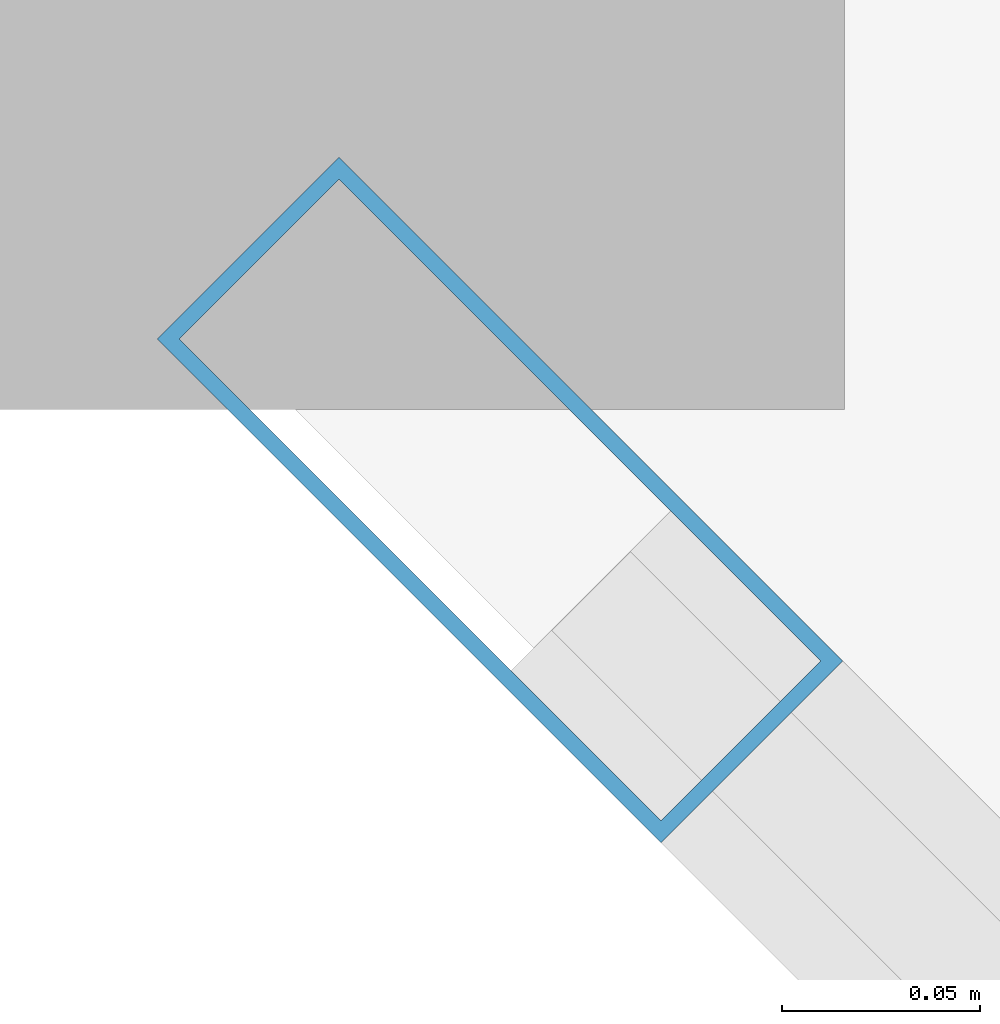
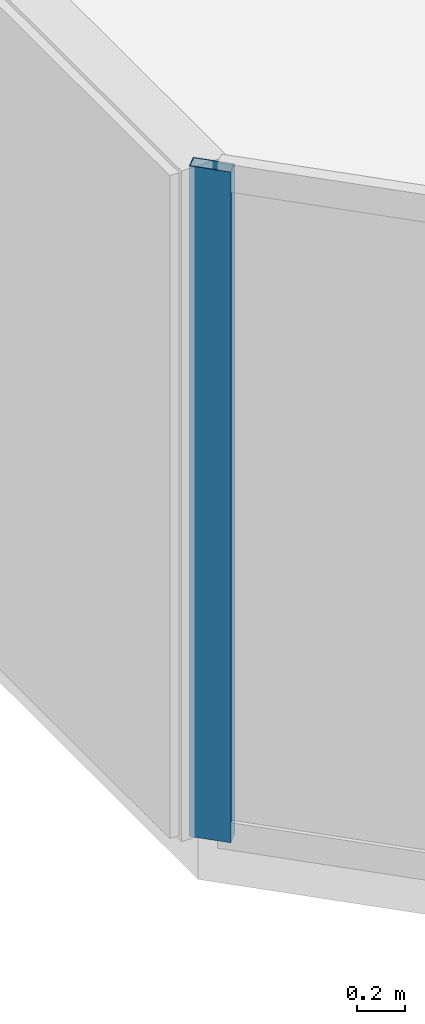
# One storey, part 7 of 28: 1 member, 1 element without a shape of its own.
"""IFC4 building model written with IfcOpenShell, lengths in metres."""

from ifc_helpers import new_model, si_unit, direction, frame, origin, origin_2d, place, context, subcontext, project, spatial, hollow_rectangle, extrude, material, layer, layer_set, material_profile, profile_set, type_object, element, aggregate, save


model = new_model("IFC4")

# Units and contexts
model_context = context("Model", 3, precision=1e-05, world=origin(), true_north=direction((0.0, 1.0)))
body_context = subcontext(model_context, "Body", "Model", "MODEL_VIEW")
ifc_project = project(units=[si_unit("LENGTHUNIT", "METRE"), si_unit("AREAUNIT", "SQUARE_METRE"), si_unit("VOLUMEUNIT", "CUBIC_METRE"), si_unit("PLANEANGLEUNIT", "RADIAN"), si_unit("MASSUNIT", "GRAM", prefix="KILO")], contexts=[model_context])

# Site, building, storey
site_placement = place(None, origin())
site = spatial("IfcSite", under=ifc_project, at=site_placement, CompositionType="ELEMENT")
building_placement = place(site_placement, origin())
building = spatial("IfcBuilding", under=site, at=building_placement, Name="Tanjung Sevakor Pilgrim Tower", CompositionType="ELEMENT")
storey_placement = place(building_placement, frame((0.0, 0.0, 242.550048828125)))
storey = spatial("IfcBuildingStorey", under=building, at=storey_placement, Name="L68", CompositionType="ELEMENT", Elevation=242.550048828125)

# Curtain wall, member
ifc_material_1 = material(Name="Aluminium 6063-T6 and Low-E Glass", Category="aluminium")
ifc_layer = layer(ifc_material_1, 0.179931640625)
ifc_layer_set = layer_set([ifc_layer], Name="CW-SYS-CHAM")
curtain_wall_type = type_object("IfcCurtainWallType", Name="CW-SYS-CHAM", PredefinedType="NOTDEFINED", material=ifc_layer_set)
curtain_wall_placement = place(storey_placement, origin())
curtain_wall = element("IfcCurtainWall", 1, at=curtain_wall_placement, inside=storey, type_object=curtain_wall_type, Name="L68 Curtain Wall CW-CHM-L68-EAST-7", PredefinedType="NOTDEFINED")
ifc_material_2 = material(Name="Aluminium 6063-T6", Category="aluminium")
ifc_material_profile = material_profile(ifc_material_2, hollow_rectangle(XDim=0.06494140625, YDim=0.179931640625, WallThickness=0.00390625, at=origin_2d()))
ifc_profile_set = profile_set([ifc_material_profile], Name="Aluminium 6063-T6")
member_type = type_object("IfcMemberType", Name="TYPE-CWM-1", PredefinedType="MULLION", material=ifc_profile_set)
member_placement = place(storey_placement, frame((52.23291015625, 31.22265625, 0.0), z_axis=(0.0, 0.0, 1.0), x_axis=(0.707106781187, 0.707106781187, 0.0)))
member = element("IfcMember", 2, at=member_placement, type_object=member_type, Name="CW-CHM mullion 1", PredefinedType="MULLION", context=body_context, shape_type="SweptSolid", body=[
    extrude(hollow_rectangle(XDim=0.06494140625, YDim=0.179931640625, WallThickness=0.00390625, at=origin_2d()), origin(), (0.0, 0.0, 1.0), 3.409912109375),
])
aggregate(curtain_wall, [member])

save(model, "model.ifc")
